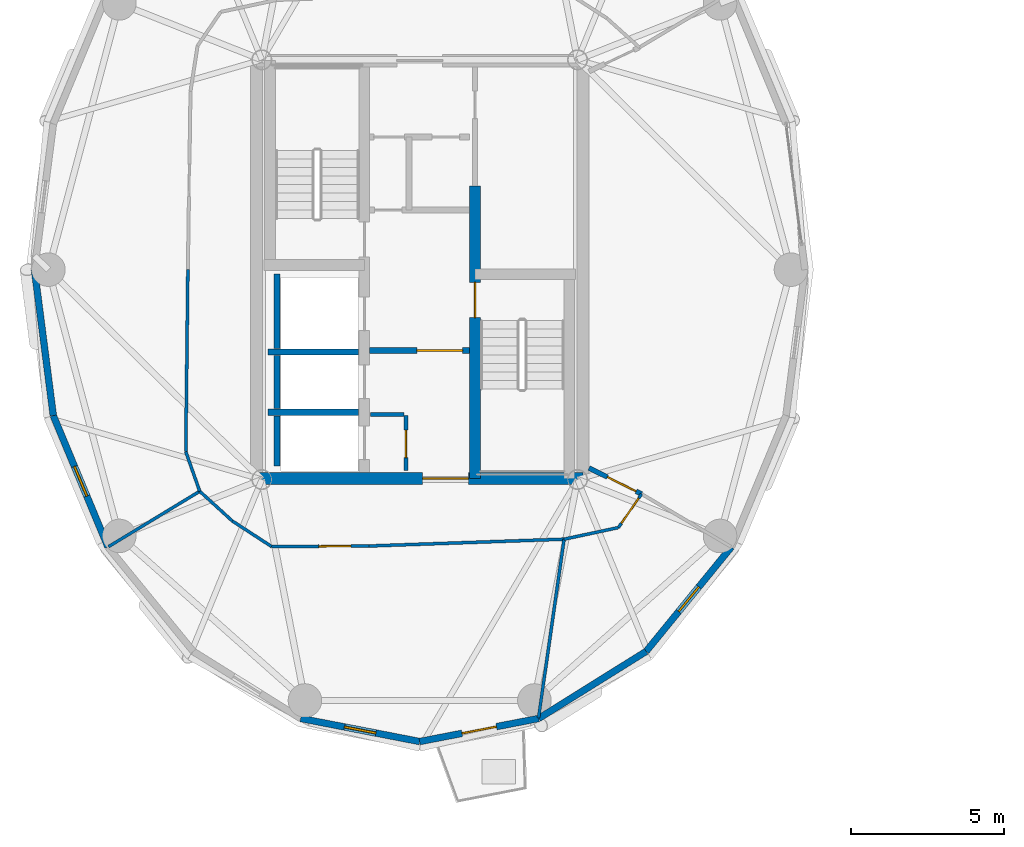
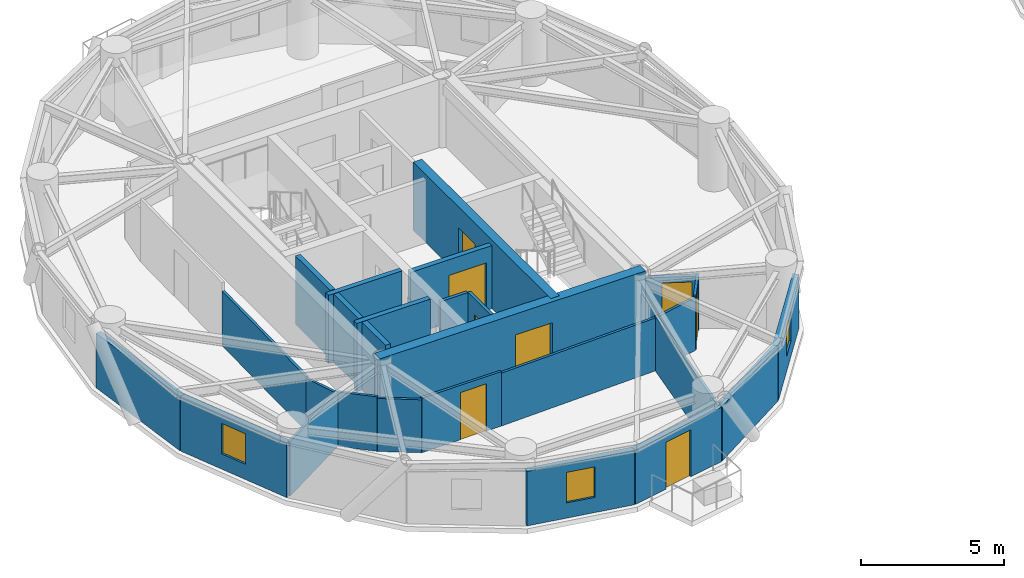
# One storey, part 7 of 15: 27 walls, 8 doors, 3 windows, 11 openings.
"""IFC4 building model written with IfcOpenShell, lengths in metres."""

from ifc_helpers import new_model, si_unit, direction, frame, frame_2d, origin, place, context, subcontext, project, spatial, rectangle, extrude, source, transform, mapped, material, layer, layer_set, type_object, element, fill, save


model = new_model("IFC4")

# Units and contexts
model_context = context("Model", 3, precision=1e-05, world=origin(), true_north=direction((0.0, 1.0)))
body_context = subcontext(model_context, "Body", "Model", "MODEL_VIEW")
ifc_project = project(units=[si_unit("LENGTHUNIT", "METRE"), si_unit("AREAUNIT", "SQUARE_METRE"), si_unit("VOLUMEUNIT", "CUBIC_METRE"), si_unit("PLANEANGLEUNIT", "RADIAN"), si_unit("MASSUNIT", "GRAM", prefix="KILO")], contexts=[model_context])

# Site, building, storey
site_placement = place(None, origin())
site = spatial("IfcSite", under=ifc_project, at=site_placement, CompositionType="ELEMENT")
building_placement = place(site_placement, origin())
building = spatial("IfcBuilding", under=site, at=building_placement, Name="Cununo Teusaquillo Station Towers", CompositionType="ELEMENT")
storey_placement = place(building_placement, frame((0.0, 0.0, 199.570068359375)))
storey = spatial("IfcBuildingStorey", under=building, at=storey_placement, Name="L63", CompositionType="ELEMENT", Elevation=199.570068359375)

# Walls
ifc_material_1 = material(Name="Concrete C50/60", Category="concrete")
ifc_layer_1 = layer(ifc_material_1, 0.199951171875)
ifc_layer_set_1 = layer_set([ifc_layer_1], Name="Concrete C50/60")
wall_type_1 = type_object("IfcWallType", Name="WL-CORE-200", PredefinedType="SHEAR", material=ifc_layer_set_1)
wall_1_placement = place(storey_placement, frame((11.52001953125, 21.800048828125, 0.0), z_axis=(0.0, 0.0, 1.0), x_axis=(1.0, 0.0, 0.0)))
element("IfcWall", 1, at=wall_1_placement, inside=storey, type_object=wall_type_1, Name="L63 Tower A Firefighting Lift Shaft South Shear Wall", PredefinedType="SHEAR", context=body_context, shape_type="SweptSolid", body=[
    extrude(rectangle(XDim=2.969970703125, YDim=0.199951171875, at=frame_2d((1.48486328125, 0.0))), origin(), (0.0, 0.0, 1.0), 2.909912109375),
])
wall_2_placement = place(storey_placement, frame((11.820068359375, 21.919921875, 0.0), z_axis=(0.0, 0.0, 1.0), x_axis=(0.0, 1.0, 0.0)))
element("IfcWall", 2, at=wall_2_placement, inside=storey, type_object=wall_type_1, Name="L63 Tower A Firefighting Lift Shaft Rear Shear Wall", PredefinedType="SHEAR", context=body_context, shape_type="SweptSolid", body=[
    extrude(rectangle(XDim=2.440185546875, YDim=0.199951171875, at=frame_2d((1.22021484375, 0.0))), origin(), (0.0, 0.0, 1.0), 2.909912109375),
])
wall_3_placement = place(storey_placement, frame((11.52001953125, 19.824951171875, 0.0), z_axis=(0.0, 0.0, 1.0), x_axis=(1.0, 0.0, 0.0)))
element("IfcWall", 3, at=wall_3_placement, inside=storey, type_object=wall_type_1, Name="L63 Tower A High-Rise Lift Hoistway Divider Shear Wall", PredefinedType="SHEAR", context=body_context, shape_type="SweptSolid", body=[
    extrude(rectangle(XDim=2.969970703125, YDim=0.199951171875, at=frame_2d((1.48486328125, 0.0))), origin(), (0.0, 0.0, 1.0), 2.909912109375),
])
wall_4_placement = place(storey_placement, frame((11.820068359375, 19.945068359375, 0.0), z_axis=(0.0, 0.0, 1.0), x_axis=(0.0, 1.0, 0.0)))
element("IfcWall", 4, at=wall_4_placement, inside=storey, type_object=wall_type_1, Name="L63 Tower A High-Rise Lift 2 Shaft Rear Shear Wall", PredefinedType="SHEAR", context=body_context, shape_type="SweptSolid", body=[
    extrude(rectangle(XDim=1.73486328125, YDim=0.199951171875, at=frame_2d((0.867431640625, 0.0))), origin(), (0.0, 0.0, 1.0), 2.909912109375),
])
wall_5_placement = place(storey_placement, frame((11.820068359375, 18.070068359375, 0.0), z_axis=(0.0, 0.0, 1.0), x_axis=(0.0, 1.0, 0.0)))
element("IfcWall", 5, at=wall_5_placement, inside=storey, type_object=wall_type_1, Name="L63 Tower A High-Rise Lift 1 Shaft Rear Shear Wall", PredefinedType="SHEAR", context=body_context, shape_type="SweptSolid", body=[
    extrude(rectangle(XDim=1.635009765625, YDim=0.199951171875, at=frame_2d((0.8173828125, 0.0))), origin(), (0.0, 0.0, 1.0), 2.909912109375),
])

# Wall, opening, door
ifc_material_2 = material(Name="Concrete C50/60", Category="concrete")
ifc_layer_2 = layer(ifc_material_2, 0.35009765625)
ifc_layer_set_2 = layer_set([ifc_layer_2], Name="Concrete C50/60")
wall_type_2 = type_object("IfcWallType", Name="WL-CORE-350", PredefinedType="SHEAR", material=ifc_layer_set_2)
wall_6_placement = place(storey_placement, frame((18.31494140625, 17.64990234375, 0.0), z_axis=(0.0, 0.0, 1.0), x_axis=(0.0, 1.0, 0.0)))
wall_6 = element("IfcWall", 6, at=wall_6_placement, inside=storey, type_object=wall_type_2, Name="L63 Tower A Core Shear Wall IE", PredefinedType="SHEAR", context=body_context, shape_type="SweptSolid", body=[
    extrude(rectangle(XDim=9.60009765625, YDim=0.35009765625, at=frame_2d((4.800048828125, 0.0))), origin(), (0.0, 0.0, 1.0), 2.909912109375),
])
shared_shape_1 = source(origin(), body_context, "Body", "SweptSolid", [
    extrude(rectangle(XDim=1.14990234375, YDim=2.02001953125, at=frame_2d((0.574951171875, 1.010009765625))), frame((0.0, 0.18505859375, 0.0), z_axis=(0.0, -1.0, 0.0), x_axis=(1.0, 0.0, 0.0)), (0.0, 0.0, 1.0), 0.3701171875),
])
opening_1_placement = place(wall_6_placement, frame((5.280029296875, 0.0, 0.0)))
opening_1 = element("IfcOpeningElement", 7, at=opening_1_placement, cuts=wall_6, Name="Opening D-ST1", PredefinedType="OPENING", context=body_context, shape_type="MappedRepresentation", body=[
    mapped(shared_shape_1, transform((0.0, 0.0, 0.0), x_axis=(1.0, 0.0, 0.0), y_axis=(0.0, 1.0, 0.0), z_axis=(0.0, 0.0, 1.0), scale=1.0)),
])
ifc_material_3 = material(Name="Galvanised fire-rated hollow steel door assembly", Category="steel")
door_type_1 = type_object("IfcDoorType", Name="DR-STAIR-1150", OperationType="NOTDEFINED", PredefinedType="DOOR", material=ifc_material_3)
shared_shape_2 = source(origin(), body_context, "Body", "SweptSolid", [
    extrude(rectangle(XDim=1.14990234375, YDim=2.02001953125, at=frame_2d((0.574951171875, 1.010009765625))), frame((0.0, 0.02490234375, 0.0), z_axis=(0.0, -1.0, 0.0), x_axis=(1.0, 0.0, 0.0)), (0.0, 0.0, 1.0), 0.050048828125),
])
door_1_placement = place(opening_1_placement, origin())
door_1 = element("IfcDoor", 8, at=door_1_placement, inside=storey, type_object=door_type_1, Name="L63 Tower A Exit Stair 2 Fire Door", OperationType="SINGLE_SWING_LEFT", OverallHeight=2.02001953125, OverallWidth=1.14990234375, PredefinedType="DOOR", context=body_context, shape_type="MappedRepresentation", body=[
    mapped(shared_shape_2, transform((0.0, 0.0, 0.0), x_axis=(1.0, 0.0, 0.0), y_axis=(0.0, 1.0, 0.0), z_axis=(0.0, 0.0, 1.0), scale=1.0)),
])
fill(opening_1, door_1)

ifc_material_4 = material(Name="Concrete C50/60", Category="concrete")
ifc_layer_3 = layer(ifc_material_4, 0.39990234375)
ifc_layer_set_3 = layer_set([ifc_layer_3], Name="Concrete C50/60")
wall_type_3 = type_object("IfcWallType", Name="WL-CORE-400", PredefinedType="SHEAR", material=ifc_layer_set_3)
wall_7_placement = place(storey_placement, frame((11.14990234375, 17.64990234375, 0.0), z_axis=(0.0, 0.0, 1.0), x_axis=(1.0, 0.0, 0.0)))
wall_7 = element("IfcWall", 9, at=wall_7_placement, inside=storey, type_object=wall_type_3, Name="L63 Tower A Core Shear Wall S", PredefinedType="SHEAR", context=body_context, shape_type="SweptSolid", body=[
    extrude(rectangle(XDim=10.7001953125, YDim=0.39990234375, at=frame_2d((5.35009765625, 0.0))), origin(), (0.0, 0.0, 1.0), 2.909912109375),
])
shared_shape_3 = source(origin(), body_context, "Body", "SweptSolid", [
    extrude(rectangle(XDim=1.5, YDim=2.02001953125, at=frame_2d((0.75, 1.010009765625))), frame((0.0, 0.2099609375, 0.0), z_axis=(0.0, -1.0, 0.0), x_axis=(1.0, 0.0, 0.0)), (0.0, 0.0, 1.0), 0.419921875),
])
opening_2_placement = place(wall_7_placement, frame((5.449951171875, 0.0, 0.0)))
opening_2 = element("IfcOpeningElement", 10, at=opening_2_placement, cuts=wall_7, Name="Opening D-LB1", PredefinedType="OPENING", context=body_context, shape_type="MappedRepresentation", body=[
    mapped(shared_shape_3, transform((0.0, 0.0, 0.0), x_axis=(1.0, 0.0, 0.0), y_axis=(0.0, 1.0, 0.0), z_axis=(0.0, 0.0, 1.0), scale=1.0)),
])
ifc_material_5 = material(Name="Galvanised fire-rated hollow steel door assembly", Category="steel")
door_type_2 = type_object("IfcDoorType", Name="DR-LOBBY-1500", OperationType="DOUBLE_DOOR_SINGLE_SWING", PredefinedType="DOOR", material=ifc_material_5)
shared_shape_4 = source(origin(), body_context, "Body", "SweptSolid", [
    extrude(rectangle(XDim=1.5, YDim=2.02001953125, at=frame_2d((0.75, 1.010009765625))), frame((0.0, 0.02490234375, 0.0), z_axis=(0.0, -1.0, 0.0), x_axis=(1.0, 0.0, 0.0)), (0.0, 0.0, 1.0), 0.050048828125),
])
door_2_placement = place(opening_2_placement, origin())
door_2 = element("IfcDoor", 11, at=door_2_placement, inside=storey, type_object=door_type_2, Name="L63 Tower A South Core Lift Lobby Door", OperationType="DOUBLE_DOOR_SINGLE_SWING", OverallHeight=2.02001953125, OverallWidth=1.5, PredefinedType="DOOR", context=body_context, shape_type="MappedRepresentation", body=[
    mapped(shared_shape_4, transform((0.0, 0.0, 0.0), x_axis=(1.0, 0.0, 0.0), y_axis=(0.0, 1.0, 0.0), z_axis=(0.0, 0.0, 1.0), scale=1.0)),
])
fill(opening_2, door_2)

# Wall
ifc_material_6 = material(Name="Precast concrete C40/50", Category="concrete")
ifc_layer_4 = layer(ifc_material_6, 0.219970703125)
ifc_layer_set_4 = layer_set([ifc_layer_4], Name="Precast concrete C40/50")
wall_type_4 = type_object("IfcWallType", Name="WL-EXT-220", PredefinedType="SOLIDWALL", material=ifc_layer_set_4)
wall_8_placement = place(storey_placement, frame((4.48828125, 19.719482421875, 0.0), z_axis=(0.0, 0.0, 1.0), x_axis=(-0.128241318541, 0.991742993027, 0.0)))
element("IfcWall", 12, at=wall_8_placement, inside=storey, type_object=wall_type_4, Name="L63 Tower A Exterior Facade Wall C10", PredefinedType="SOLIDWALL", context=body_context, shape_type="SweptSolid", body=[
    extrude(rectangle(XDim=4.8203125, YDim=0.219970703125, at=frame_2d((2.41015625, 0.0))), origin(), (0.0, 0.0, 1.0), 2.322021484375),
])

# Wall, opening, window
wall_9_placement = place(storey_placement, frame((6.281982421875, 15.406982421875, 0.0), z_axis=(0.0, 0.0, 1.0), x_axis=(-0.384036305194, 0.923317993052, 0.0)))
wall_9 = element("IfcWall", 13, at=wall_9_placement, inside=storey, type_object=wall_type_4, Name="L63 Tower A Exterior Facade Wall C11", PredefinedType="SOLIDWALL", context=body_context, shape_type="SweptSolid", body=[
    extrude(rectangle(XDim=4.670654296875, YDim=0.219970703125, at=frame_2d((2.33544921875, 0.0))), origin(), (0.0, 0.0, 1.0), 2.322021484375),
])
shared_shape_5 = source(origin(), body_context, "Body", "SweptSolid", [
    extrude(rectangle(XDim=1.050048828125, YDim=1.300048828125, at=frame_2d((0.52490234375, 0.64990234375))), frame((0.0, 0.119873046875, 0.0), z_axis=(0.0, -1.0, 0.0), x_axis=(1.0, 0.0, 0.0)), (0.0, 0.0, 1.0), 0.239990234375),
])
opening_3_placement = place(wall_9_placement, frame((1.81005859375, 0.0, 0.64990234375)))
opening_3 = element("IfcOpeningElement", 14, at=opening_3_placement, cuts=wall_9, Name="Opening WN-04", PredefinedType="OPENING", context=body_context, shape_type="MappedRepresentation", body=[
    mapped(shared_shape_5, transform((0.0, 0.0, 0.0), x_axis=(1.0, 0.0, 0.0), y_axis=(0.0, 1.0, 0.0), z_axis=(0.0, 0.0, 1.0), scale=1.0)),
])
ifc_material_7 = material(Name="Operable acoustic tinted low-E double glazing", Category="glass")
window_type = type_object("IfcWindowType", Name="WIN-BAL-1050", PartitioningType="SINGLE_PANEL", PredefinedType="WINDOW", material=ifc_material_7)
shared_shape_6 = source(origin(), body_context, "Body", "SweptSolid", [
    extrude(rectangle(XDim=1.050048828125, YDim=1.300048828125, at=frame_2d((0.52490234375, 0.64990234375))), frame((0.0, 0.030029296875, 0.0), z_axis=(0.0, -1.0, 0.0), x_axis=(1.0, 0.0, 0.0)), (0.0, 0.0, 1.0), 0.06005859375),
])
window_1_placement = place(opening_3_placement, origin())
window_1 = element("IfcWindow", 15, at=window_1_placement, inside=storey, type_object=window_type, Name="L63 Tower A Facade Window C11", OverallHeight=1.300048828125, OverallWidth=1.050048828125, PartitioningType="SINGLE_PANEL", PredefinedType="WINDOW", context=body_context, shape_type="MappedRepresentation", body=[
    mapped(shared_shape_6, transform((0.0, 0.0, 0.0), x_axis=(1.0, 0.0, 0.0), y_axis=(0.0, 1.0, 0.0), z_axis=(0.0, 0.0, 1.0), scale=1.0)),
])
fill(opening_3, window_1)

wall_10_placement = place(storey_placement, frame((16.5, 9.030029296875, 0.0), z_axis=(0.0, 0.0, 1.0), x_axis=(-0.981700307484, 0.190432419211, 0.0)))
wall_10 = element("IfcWall", 16, at=wall_10_placement, inside=storey, type_object=wall_type_4, Name="L63 Tower A Exterior Facade Wall C14", PredefinedType="SOLIDWALL", context=body_context, shape_type="SweptSolid", body=[
    extrude(rectangle(XDim=3.9755859375, YDim=0.219970703125, at=frame_2d((1.98779296875, 0.0))), origin(), (0.0, 0.0, 1.0), 2.322021484375),
])
opening_4_placement = place(wall_10_placement, frame((1.462890625, 0.0, 0.64990234375)))
opening_4 = element("IfcOpeningElement", 17, at=opening_4_placement, cuts=wall_10, Name="Opening WN-04", PredefinedType="OPENING", context=body_context, shape_type="MappedRepresentation", body=[
    mapped(shared_shape_5, transform((0.0, 0.0, 0.0), x_axis=(1.0, 0.0, 0.0), y_axis=(0.0, 1.0, 0.0), z_axis=(0.0, 0.0, 1.0), scale=1.0)),
])
window_2_placement = place(opening_4_placement, origin())
window_2 = element("IfcWindow", 18, at=window_2_placement, inside=storey, type_object=window_type, Name="L63 Tower A Facade Window C14", OverallHeight=1.300048828125, OverallWidth=1.050048828125, PartitioningType="SINGLE_PANEL", PredefinedType="WINDOW", context=body_context, shape_type="MappedRepresentation", body=[
    mapped(shared_shape_6, transform((0.0, 0.0, 0.0), x_axis=(1.0, 0.0, 0.0), y_axis=(0.0, 1.0, 0.0), z_axis=(0.0, 0.0, 1.0), scale=1.0)),
])
fill(opening_4, window_2)

# Wall, opening, door
wall_11_placement = place(storey_placement, frame((20.40283203125, 9.787109375, 0.0), z_axis=(0.0, 0.0, 1.0), x_axis=(-0.981700307484, -0.190432419211, 0.0)))
wall_11 = element("IfcWall", 19, at=wall_11_placement, inside=storey, type_object=wall_type_4, Name="L63 Tower A Exterior Facade Wall C15", PredefinedType="SOLIDWALL", context=body_context, shape_type="SweptSolid", body=[
    extrude(rectangle(XDim=3.9755859375, YDim=0.219970703125, at=frame_2d((1.98779296875, 0.0))), origin(), (0.0, 0.0, 1.0), 2.322021484375),
])
shared_shape_7 = source(origin(), body_context, "Body", "SweptSolid", [
    extrude(rectangle(XDim=1.14990234375, YDim=2.0048828125, at=frame_2d((0.574951171875, 1.00244140625))), frame((0.0, 0.119873046875, 0.0), z_axis=(0.0, -1.0, 0.0), x_axis=(1.0, 0.0, 0.0)), (0.0, 0.0, 1.0), 0.239990234375),
])
opening_5_placement = place(wall_11_placement, frame((1.4130859375, 0.0, 0.0)))
opening_5 = element("IfcOpeningElement", 20, at=opening_5_placement, cuts=wall_11, Name="Opening ED-03", PredefinedType="OPENING", context=body_context, shape_type="MappedRepresentation", body=[
    mapped(shared_shape_7, transform((0.0, 0.0, 0.0), x_axis=(1.0, 0.0, 0.0), y_axis=(0.0, 1.0, 0.0), z_axis=(0.0, 0.0, 1.0), scale=1.0)),
])
ifc_material_8 = material(Name="Anodised dark bronze aluminium EN AW-6063-T6", Category="aluminium")
door_type_3 = type_object("IfcDoorType", Name="DR-EXT-BAL", OperationType="NOTDEFINED", PredefinedType="DOOR", material=ifc_material_8)
shared_shape_8 = source(origin(), body_context, "Body", "SweptSolid", [
    extrude(rectangle(XDim=1.14990234375, YDim=2.0048828125, at=frame_2d((0.574951171875, 1.00244140625))), frame((0.0, 0.02490234375, 0.0), z_axis=(0.0, -1.0, 0.0), x_axis=(1.0, 0.0, 0.0)), (0.0, 0.0, 1.0), 0.050048828125),
])
door_3_placement = place(opening_5_placement, origin())
door_3 = element("IfcDoor", 21, at=door_3_placement, inside=storey, type_object=door_type_3, Name="L63 Tower A Tree Balcony Door C15", OperationType="SINGLE_SWING_LEFT", OverallHeight=2.0048828125, OverallWidth=1.14990234375, PredefinedType="DOOR", context=body_context, shape_type="MappedRepresentation", body=[
    mapped(shared_shape_8, transform((0.0, 0.0, 0.0), x_axis=(1.0, 0.0, 0.0), y_axis=(0.0, 1.0, 0.0), z_axis=(0.0, 0.0, 1.0), scale=1.0)),
])
fill(opening_5, door_3)

# Wall
wall_12_placement = place(storey_placement, frame((23.923583984375, 11.984619140625, 0.0), z_axis=(0.0, 0.0, 1.0), x_axis=(-0.848318713376, -0.529485939886, 0.0)))
element("IfcWall", 22, at=wall_12_placement, inside=storey, type_object=wall_type_4, Name="L63 Tower A Exterior Facade Wall C16", PredefinedType="SOLIDWALL", context=body_context, shape_type="SweptSolid", body=[
    extrude(rectangle(XDim=4.150390625, YDim=0.219970703125, at=frame_2d((2.0751953125, 0.0))), origin(), (0.0, 0.0, 1.0), 2.322021484375),
])

# Wall, opening, window
wall_13_placement = place(storey_placement, frame((26.718017578125, 15.406982421875, 0.0), z_axis=(0.0, 0.0, 1.0), x_axis=(-0.632467166636, -0.774587169483, 0.0)))
wall_13 = element("IfcWall", 23, at=wall_13_placement, inside=storey, type_object=wall_type_4, Name="L63 Tower A Exterior Facade Wall C17", PredefinedType="SOLIDWALL", context=body_context, shape_type="SweptSolid", body=[
    extrude(rectangle(XDim=4.418212890625, YDim=0.219970703125, at=frame_2d((2.208984375, 0.0))), origin(), (0.0, 0.0, 1.0), 2.322021484375),
])
opening_6_placement = place(wall_13_placement, frame((1.68408203125, 0.0, 0.64990234375)))
opening_6 = element("IfcOpeningElement", 24, at=opening_6_placement, cuts=wall_13, Name="Opening WN-04", PredefinedType="OPENING", context=body_context, shape_type="MappedRepresentation", body=[
    mapped(shared_shape_5, transform((0.0, 0.0, 0.0), x_axis=(1.0, 0.0, 0.0), y_axis=(0.0, 1.0, 0.0), z_axis=(0.0, 0.0, 1.0), scale=1.0)),
])
window_3_placement = place(opening_6_placement, origin())
window_3 = element("IfcWindow", 25, at=window_3_placement, inside=storey, type_object=window_type, Name="L63 Tower A Facade Window C17", OverallHeight=1.300048828125, OverallWidth=1.050048828125, PartitioningType="SINGLE_PANEL", PredefinedType="WINDOW", context=body_context, shape_type="MappedRepresentation", body=[
    mapped(shared_shape_6, transform((0.0, 0.0, 0.0), x_axis=(1.0, 0.0, 0.0), y_axis=(0.0, 1.0, 0.0), z_axis=(0.0, 0.0, 1.0), scale=1.0)),
])
fill(opening_6, window_3)

# Walls
ifc_material_9 = material(Name="Fire-rated gypsum plasterboard partition assembly", Category="gypsum")
ifc_layer_5 = layer(ifc_material_9, 0.10009765625)
ifc_layer_set_5 = layer_set([ifc_layer_5], Name="Fire-rated gypsum plasterboard partition assembly")
wall_type_5 = type_object("IfcWallType", Name="WL-PART-100", PredefinedType="MOVABLE", material=ifc_layer_set_5)
wall_14_placement = place(storey_placement, frame((8.89990234375, 24.5, 0.0), z_axis=(0.0, 0.0, 1.0), x_axis=(-0.011416369353, -0.999934831132, 0.0)))
element("IfcWall", 26, at=wall_14_placement, inside=storey, type_object=wall_type_5, Name="L63 Tower A Corridor Ring Wall C10", PredefinedType="MOVABLE", context=body_context, shape_type="SweptSolid", body=[
    extrude(rectangle(XDim=5.966552734375, YDim=0.10009765625, at=frame_2d((2.9833984375, 0.0))), origin(), (0.0, 0.0, 1.0), 2.322021484375),
])
wall_15_placement = place(storey_placement, frame((8.831787109375, 18.533935546875, 0.0), z_axis=(0.0, 0.0, 1.0), x_axis=(0.332031819657, -0.943268186008, 0.0)))
element("IfcWall", 27, at=wall_15_placement, inside=storey, type_object=wall_type_5, Name="L63 Tower A Corridor Ring Wall C11", PredefinedType="MOVABLE", context=body_context, shape_type="SweptSolid", body=[
    extrude(rectangle(XDim=1.377197265625, YDim=0.10009765625, at=frame_2d((0.6884765625, 0.0))), origin(), (0.0, 0.0, 1.0), 2.2548828125),
])
wall_16_placement = place(storey_placement, frame((9.2890625, 17.23486328125, 0.0), z_axis=(0.0, 0.0, 1.0), x_axis=(0.739015164946, -0.673688790155, 0.0)))
element("IfcWall", 28, at=wall_16_placement, inside=storey, type_object=wall_type_5, Name="L63 Tower A Corridor Ring Wall C12", PredefinedType="MOVABLE", context=body_context, shape_type="SweptSolid", body=[
    extrude(rectangle(XDim=1.4462890625, YDim=0.10009765625, at=frame_2d((0.72314453125, 0.0))), origin(), (0.0, 0.0, 1.0), 2.322021484375),
])
wall_17_placement = place(storey_placement, frame((10.35791015625, 16.260498046875, 0.0), z_axis=(0.0, 0.0, 1.0), x_axis=(0.838265397059, -0.545262435983, 0.0)))
element("IfcWall", 29, at=wall_17_placement, inside=storey, type_object=wall_type_5, Name="L63 Tower A Corridor Ring Wall C13", PredefinedType="MOVABLE", context=body_context, shape_type="SweptSolid", body=[
    extrude(rectangle(XDim=1.533935546875, YDim=0.10009765625, at=frame_2d((0.76708984375, 0.0))), origin(), (0.0, 0.0, 1.0), 2.2548828125),
])

# Wall, opening, door
wall_18_placement = place(storey_placement, frame((11.643798828125, 15.424072265625, 0.0), z_axis=(0.0, 0.0, 1.0), x_axis=(0.999986552511, 0.005186019339, 0.0)))
wall_18 = element("IfcWall", 30, at=wall_18_placement, inside=storey, type_object=wall_type_5, Name="L63 Tower A Corridor Ring Wall C14", PredefinedType="MOVABLE", context=body_context, shape_type="SweptSolid", body=[
    extrude(rectangle(XDim=3.201171875, YDim=0.10009765625, at=frame_2d((1.6005859375, 0.0))), origin(), (0.0, 0.0, 1.0), 2.322021484375),
])
shared_shape_9 = source(origin(), body_context, "Body", "SweptSolid", [
    extrude(rectangle(XDim=1.050048828125, YDim=2.014892578125, at=frame_2d((0.52490234375, 1.00732421875))), frame((0.0, 0.06005859375, 0.0), z_axis=(0.0, -1.0, 0.0), x_axis=(1.0, 0.0, 0.0)), (0.0, 0.0, 1.0), 0.1201171875),
])
opening_7_placement = place(wall_18_placement, frame((1.553466796875, 0.0, 0.0)))
opening_7 = element("IfcOpeningElement", 31, at=opening_7_placement, cuts=wall_18, Name="Opening D-SU1", PredefinedType="OPENING", context=body_context, shape_type="MappedRepresentation", body=[
    mapped(shared_shape_9, transform((0.0, 0.0, 0.0), x_axis=(1.0, 0.0, 0.0), y_axis=(0.0, 1.0, 0.0), z_axis=(0.0, 0.0, 1.0), scale=1.0)),
])
ifc_material_10 = material(Name="Acoustic solid-core hardwood leaf assembly", Category="wood")
door_type_4 = type_object("IfcDoorType", Name="DR-SUITE-1050", OperationType="NOTDEFINED", PredefinedType="DOOR", material=ifc_material_10)
shared_shape_10 = source(origin(), body_context, "Body", "SweptSolid", [
    extrude(rectangle(XDim=1.050048828125, YDim=2.014892578125, at=frame_2d((0.52490234375, 1.00732421875))), frame((0.0, 0.02490234375, 0.0), z_axis=(0.0, -1.0, 0.0), x_axis=(1.0, 0.0, 0.0)), (0.0, 0.0, 1.0), 0.050048828125),
])
door_4_placement = place(opening_7_placement, origin())
door_4 = element("IfcDoor", 32, at=door_4_placement, inside=storey, type_object=door_type_4, Name="L63 Tower A Summit Client Reception Salon Entrance Door", OperationType="SINGLE_SWING_LEFT", OverallHeight=2.014892578125, OverallWidth=1.050048828125, PredefinedType="DOOR", context=body_context, shape_type="MappedRepresentation", body=[
    mapped(shared_shape_10, transform((0.0, 0.0, 0.0), x_axis=(1.0, 0.0, 0.0), y_axis=(0.0, 1.0, 0.0), z_axis=(0.0, 0.0, 1.0), scale=1.0)),
])
fill(opening_7, door_4)

# Walls
wall_19_placement = place(storey_placement, frame((14.844970703125, 15.440673828125, 0.0), z_axis=(0.0, 0.0, 1.0), x_axis=(0.99938794868, 0.034981824334, 0.0)))
element("IfcWall", 33, at=wall_19_placement, inside=storey, type_object=wall_type_5, Name="L63 Tower A Corridor Ring Wall C15", PredefinedType="MOVABLE", context=body_context, shape_type="SweptSolid", body=[
    extrude(rectangle(XDim=6.392822265625, YDim=0.10009765625, at=frame_2d((3.1962890625, 0.0))), origin(), (0.0, 0.0, 1.0), 2.2548828125),
])
wall_20_placement = place(storey_placement, frame((21.23388671875, 15.664306640625, 0.0), z_axis=(0.0, 0.0, 1.0), x_axis=(0.977931581182, 0.208925399431, 0.0)))
element("IfcWall", 34, at=wall_20_placement, inside=storey, type_object=wall_type_5, Name="L63 Tower A Corridor Ring Wall C16", PredefinedType="MOVABLE", context=body_context, shape_type="SweptSolid", body=[
    extrude(rectangle(XDim=1.822998046875, YDim=0.10009765625, at=frame_2d((0.91162109375, 0.0))), origin(), (0.0, 0.0, 1.0), 2.2548828125),
])

# Wall, opening, door
wall_21_placement = place(storey_placement, frame((23.0166015625, 16.045166015625, 0.0), z_axis=(0.0, 0.0, 1.0), x_axis=(0.566660656138, 0.823951273308, 0.0)))
wall_21 = element("IfcWall", 35, at=wall_21_placement, inside=storey, type_object=wall_type_5, Name="L63 Tower A Corridor Ring Wall C17", PredefinedType="MOVABLE", context=body_context, shape_type="SweptSolid", body=[
    extrude(rectangle(XDim=1.3359375, YDim=0.10009765625, at=frame_2d((0.66796875, 0.0))), origin(), (0.0, 0.0, 1.0), 2.322021484375),
])
shared_shape_11 = source(origin(), body_context, "Body", "SweptSolid", [
    extrude(rectangle(XDim=1.0, YDim=2.014892578125, at=frame_2d((0.5, 1.00732421875))), frame((0.0, 0.06005859375, 0.0), z_axis=(0.0, -1.0, 0.0), x_axis=(1.0, 0.0, 0.0)), (0.0, 0.0, 1.0), 0.1201171875),
])
opening_8_placement = place(wall_21_placement, frame((0.16796875, 0.0, 0.0)))
opening_8 = element("IfcOpeningElement", 36, at=opening_8_placement, cuts=wall_21, Name="Opening D-AC1", PredefinedType="OPENING", context=body_context, shape_type="MappedRepresentation", body=[
    mapped(shared_shape_11, transform((0.0, 0.0, 0.0), x_axis=(1.0, 0.0, 0.0), y_axis=(0.0, 1.0, 0.0), z_axis=(0.0, 0.0, 1.0), scale=1.0)),
])
ifc_material_11 = material(Name="Acoustic solid-core hardwood leaf assembly", Category="wood")
door_type_5 = type_object("IfcDoorType", Name="DR-ACC-1000", OperationType="NOTDEFINED", PredefinedType="DOOR", material=ifc_material_11)
shared_shape_12 = source(origin(), body_context, "Body", "SweptSolid", [
    extrude(rectangle(XDim=1.0, YDim=2.014892578125, at=frame_2d((0.5, 1.00732421875))), frame((0.0, 0.02490234375, 0.0), z_axis=(0.0, -1.0, 0.0), x_axis=(1.0, 0.0, 0.0)), (0.0, 0.0, 1.0), 0.050048828125),
])
door_5_placement = place(opening_8_placement, origin())
door_5 = element("IfcDoor", 37, at=door_5_placement, inside=storey, type_object=door_type_5, Name="L63 Tower A Public Accessible Restroom WC Entrance Door", OperationType="SINGLE_SWING_RIGHT", OverallHeight=2.014892578125, OverallWidth=1.0, PredefinedType="DOOR", context=body_context, shape_type="MappedRepresentation", body=[
    mapped(shared_shape_12, transform((0.0, 0.0, 0.0), x_axis=(1.0, 0.0, 0.0), y_axis=(0.0, 1.0, 0.0), z_axis=(0.0, 0.0, 1.0), scale=1.0)),
])
fill(opening_8, door_5)

# Walls
wall_22_placement = place(storey_placement, frame((9.2890625, 17.23486328125, 0.0), z_axis=(0.0, 0.0, 1.0), x_axis=(-0.854741081983, -0.519054604806, 0.0)))
element("IfcWall", 38, at=wall_22_placement, inside=storey, type_object=wall_type_5, Name="L63 Tower A Radial Suite Partition R03", PredefinedType="MOVABLE", context=body_context, shape_type="SweptSolid", body=[
    extrude(rectangle(XDim=3.4990234375, YDim=0.10009765625, at=frame_2d((1.74951171875, 0.0))), origin(), (0.0, 0.0, 1.0), 2.322021484375),
])
wall_23_placement = place(storey_placement, frame((21.23388671875, 15.664306640625, 0.0), z_axis=(0.0, 0.0, 1.0), x_axis=(-0.141467563045, -0.989942891588, 0.0)))
element("IfcWall", 39, at=wall_23_placement, inside=storey, type_object=wall_type_5, Name="L63 Tower A Radial Suite Partition R04", PredefinedType="MOVABLE", context=body_context, shape_type="SweptSolid", body=[
    extrude(rectangle(XDim=5.917724609375, YDim=0.10009765625, at=frame_2d((2.958984375, 0.0))), origin(), (0.0, 0.0, 1.0), 2.322021484375),
])

# Wall, opening, door
ifc_material_12 = material(Name="Fire-rated gypsum plasterboard partition assembly", Category="gypsum")
ifc_layer_6 = layer(ifc_material_12, 0.125)
ifc_layer_set_6 = layer_set([ifc_layer_6], Name="Fire-rated gypsum plasterboard partition assembly")
wall_type_6 = type_object("IfcWallType", Name="WL-PART-125", PredefinedType="PARTITIONING", material=ifc_layer_set_6)
wall_24_placement = place(storey_placement, frame((16.050048828125, 17.919921875, 0.0), z_axis=(0.0, 0.0, 1.0), x_axis=(0.0, 1.0, 0.0)))
wall_24 = element("IfcWall", 40, at=wall_24_placement, inside=storey, type_object=wall_type_6, Name="L63 Tower A South-West Compact Store East Wall", PredefinedType="PARTITIONING", context=body_context, shape_type="SweptSolid", body=[
    extrude(rectangle(XDim=1.800048828125, YDim=0.125, at=frame_2d((0.89990234375, 0.0))), origin(), (0.0, 0.0, 1.0), 2.684814453125),
])
shared_shape_13 = source(origin(), body_context, "Body", "SweptSolid", [
    extrude(rectangle(XDim=0.89990234375, YDim=2.0048828125, at=frame_2d((0.449951171875, 1.00244140625))), frame((0.0, 0.072509765625, 0.0), z_axis=(0.0, -1.0, 0.0), x_axis=(1.0, 0.0, 0.0)), (0.0, 0.0, 1.0), 0.14501953125),
])
opening_9_placement = place(wall_24_placement, frame((0.419921875, 0.0, 0.0)))
opening_9 = element("IfcOpeningElement", 41, at=opening_9_placement, cuts=wall_24, Name="Opening D-SR1", PredefinedType="OPENING", context=body_context, shape_type="MappedRepresentation", body=[
    mapped(shared_shape_13, transform((0.0, 0.0, 0.0), x_axis=(1.0, 0.0, 0.0), y_axis=(0.0, 1.0, 0.0), z_axis=(0.0, 0.0, 1.0), scale=1.0)),
])
ifc_material_13 = material(Name="Galvanised fire-rated hollow steel door assembly", Category="steel")
door_type_6 = type_object("IfcDoorType", Name="DR-STORE-900", OperationType="NOTDEFINED", PredefinedType="DOOR", material=ifc_material_13)
shared_shape_14 = source(origin(), body_context, "Body", "SweptSolid", [
    extrude(rectangle(XDim=0.89990234375, YDim=2.0048828125, at=frame_2d((0.449951171875, 1.00244140625))), frame((0.0, 0.02490234375, 0.0), z_axis=(0.0, -1.0, 0.0), x_axis=(1.0, 0.0, 0.0)), (0.0, 0.0, 1.0), 0.050048828125),
])
door_6_placement = place(opening_9_placement, origin())
door_6 = element("IfcDoor", 42, at=door_6_placement, inside=storey, type_object=door_type_6, Name="L63 Tower A Core Electrical & Comms Store Door", OperationType="SINGLE_SWING_RIGHT", OverallHeight=2.0048828125, OverallWidth=0.89990234375, PredefinedType="DOOR", context=body_context, shape_type="MappedRepresentation", body=[
    mapped(shared_shape_14, transform((0.0, 0.0, 0.0), x_axis=(1.0, 0.0, 0.0), y_axis=(0.0, 1.0, 0.0), z_axis=(0.0, 0.0, 1.0), scale=1.0)),
])
fill(opening_9, door_6)

# Wall
wall_25_placement = place(storey_placement, frame((14.8798828125, 19.75, 0.0), z_axis=(0.0, 0.0, 1.0), x_axis=(1.0, 0.0, 0.0)))
element("IfcWall", 43, at=wall_25_placement, inside=storey, type_object=wall_type_6, Name="L63 Tower A South-West Compact Store North Wall", PredefinedType="PARTITIONING", context=body_context, shape_type="SweptSolid", body=[
    extrude(rectangle(XDim=1.10009765625, YDim=0.125, at=frame_2d((0.550048828125, 0.0))), origin(), (0.0, 0.0, 1.0), 2.684814453125),
])

# Wall, opening, door
ifc_material_14 = material(Name="Fire-rated gypsum plasterboard partition assembly", Category="gypsum")
ifc_layer_7 = layer(ifc_material_14, 0.159912109375)
ifc_layer_set_7 = layer_set([ifc_layer_7], Name="Fire-rated gypsum plasterboard partition assembly")
wall_type_7 = type_object("IfcWallType", Name="WL-PART-160", PredefinedType="PARTITIONING", material=ifc_layer_set_7)
wall_26_placement = place(storey_placement, frame((22.050048828125, 18.0, 0.0), z_axis=(0.0, 0.0, 1.0), x_axis=(0.896045848613, -0.443961526692, 0.0)))
wall_26 = element("IfcWall", 44, at=wall_26_placement, inside=storey, type_object=wall_type_7, Name="L63 Tower A East Salon Corridor Portal Wall SE", PredefinedType="PARTITIONING", context=body_context, shape_type="SweptSolid", body=[
    extrude(rectangle(XDim=1.923583984375, YDim=0.159912109375, at=frame_2d((0.9619140625, 0.0))), origin(), (0.0, 0.0, 1.0), 2.2548828125),
])
shared_shape_15 = source(origin(), body_context, "Body", "SweptSolid", [
    extrude(rectangle(XDim=1.050048828125, YDim=2.014892578125, at=frame_2d((0.52490234375, 1.00732421875))), frame((0.0, 0.08984375, 0.0), z_axis=(0.0, -1.0, 0.0), x_axis=(1.0, 0.0, 0.0)), (0.0, 0.0, 1.0), 0.179931640625),
])
opening_10_placement = place(wall_26_placement, frame((0.673583984375, 0.0, 0.0)))
opening_10 = element("IfcOpeningElement", 45, at=opening_10_placement, cuts=wall_26, Name="Opening D-SU1", PredefinedType="OPENING", context=body_context, shape_type="MappedRepresentation", body=[
    mapped(shared_shape_15, transform((0.0, 0.0, 0.0), x_axis=(1.0, 0.0, 0.0), y_axis=(0.0, 1.0, 0.0), z_axis=(0.0, 0.0, 1.0), scale=1.0)),
])
door_7_placement = place(opening_10_placement, origin())
door_7 = element("IfcDoor", 46, at=door_7_placement, inside=storey, type_object=door_type_4, Name="L63 Tower A East Panorama Sky Salon Door SE", OperationType="SINGLE_SWING_RIGHT", OverallHeight=2.014892578125, OverallWidth=1.050048828125, PredefinedType="DOOR", context=body_context, shape_type="MappedRepresentation", body=[
    mapped(shared_shape_10, transform((0.0, 0.0, 0.0), x_axis=(1.0, 0.0, 0.0), y_axis=(0.0, 1.0, 0.0), z_axis=(0.0, 0.0, 1.0), scale=1.0)),
])
fill(opening_10, door_7)

ifc_material_15 = material(Name="Fire-rated gypsum plasterboard partition assembly", Category="gypsum")
ifc_layer_8 = layer(ifc_material_15, 0.199951171875)
ifc_layer_set_8 = layer_set([ifc_layer_8], Name="Fire-rated gypsum plasterboard partition assembly")
wall_type_8 = type_object("IfcWallType", Name="WL-PART-200", PredefinedType="PARTITIONING", material=ifc_layer_set_8)
wall_27_placement = place(storey_placement, frame((14.860107421875, 21.85009765625, 0.0), z_axis=(0.0, 0.0, 1.0), x_axis=(1.0, 0.0, 0.0)))
wall_27 = element("IfcWall", 47, at=wall_27_placement, inside=storey, type_object=wall_type_8, Name="L63 Tower A Firefighting Lift Lobby South Fire Wall", PredefinedType="PARTITIONING", context=body_context, shape_type="SweptSolid", body=[
    extrude(rectangle(XDim=3.27978515625, YDim=0.199951171875, at=frame_2d((1.639892578125, 0.0))), origin(), (0.0, 0.0, 1.0), 2.684814453125),
])
shared_shape_16 = source(origin(), body_context, "Body", "SweptSolid", [
    extrude(rectangle(XDim=1.5, YDim=2.02001953125, at=frame_2d((0.75, 1.010009765625))), frame((0.0, 0.10986328125, 0.0), z_axis=(0.0, -1.0, 0.0), x_axis=(1.0, 0.0, 0.0)), (0.0, 0.0, 1.0), 0.219970703125),
])
opening_11_placement = place(wall_27_placement, frame((1.550048828125, 0.0, 0.0)))
opening_11 = element("IfcOpeningElement", 48, at=opening_11_placement, cuts=wall_27, Name="Opening D-LB1", PredefinedType="OPENING", context=body_context, shape_type="MappedRepresentation", body=[
    mapped(shared_shape_16, transform((0.0, 0.0, 0.0), x_axis=(1.0, 0.0, 0.0), y_axis=(0.0, 1.0, 0.0), z_axis=(0.0, 0.0, 1.0), scale=1.0)),
])
door_8_placement = place(opening_11_placement, origin())
door_8 = element("IfcDoor", 49, at=door_8_placement, inside=storey, type_object=door_type_2, Name="L63 Tower A Firefighting Lift Lobby South Fire Door", OperationType="DOUBLE_DOOR_SINGLE_SWING", OverallHeight=2.02001953125, OverallWidth=1.5, PredefinedType="DOOR", context=body_context, shape_type="MappedRepresentation", body=[
    mapped(shared_shape_4, transform((0.0, 0.0, 0.0), x_axis=(1.0, 0.0, 0.0), y_axis=(0.0, 1.0, 0.0), z_axis=(0.0, 0.0, 1.0), scale=1.0)),
])
fill(opening_11, door_8)

save(model, "model.ifc")
